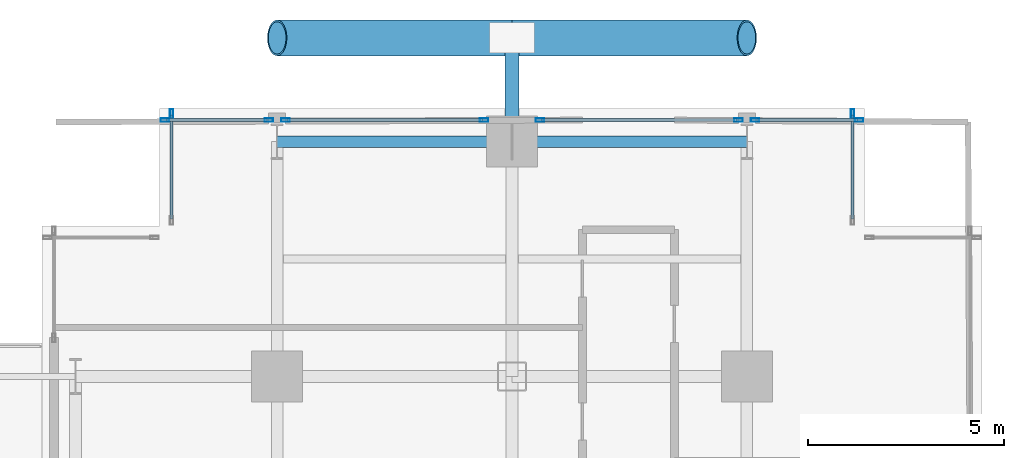
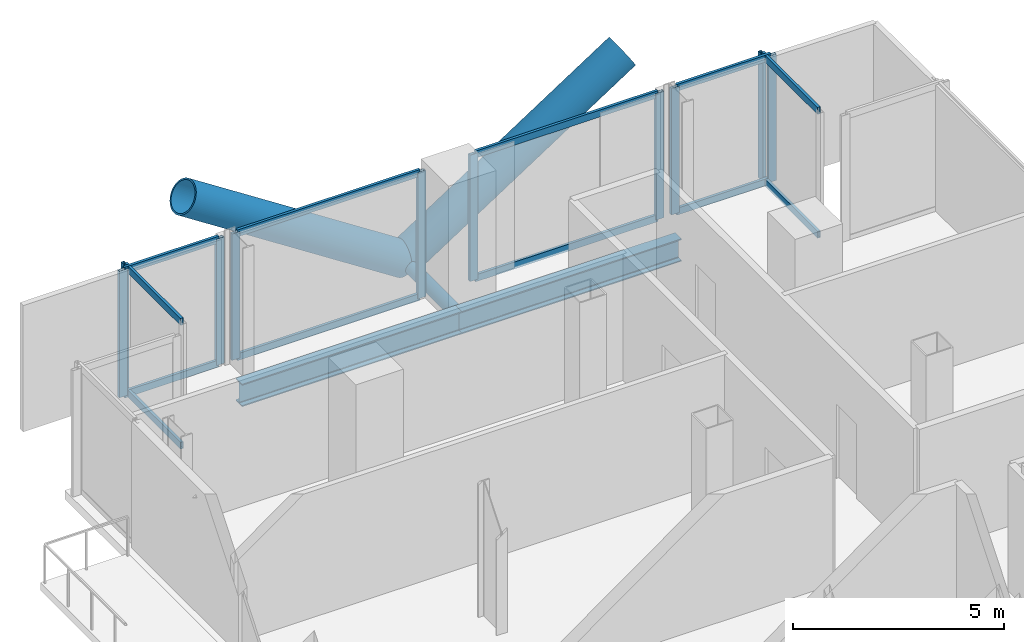
# One storey, part 16 of 27: 25 members, 2 beams, 6 elements without a shape of their own.
"""IFC4 building model written with IfcOpenShell, lengths in metres."""

import ifcopenshell
import ifcopenshell.guid

model = None  # the IFC model being written
_history = None  # IfcOwnerHistory: only IFC2X3 demands one
_inside = {}  # id of a spatial element -> (the spatial element, [elements in it])
_under = {}  # id of a project, library or spatial element -> (it, [spatial elements below it])
_declared = {}  # id of a project -> (the project, [libraries it declares])
_typed = {}  # id of a type object -> (the type object, [elements of that type])
_made_of = {}  # id of a material, layer set ... -> (it, [elements and type objects made of it])


def new_model(schema):
    """Start an empty IFC model of exactly this schema.

    Asked for "IFC4X3", IfcOpenShell would pick the latest addendum, in which some entities
    have other attributes; the version numbers below select the first issue.
    IFC2X3 requires an IfcOwnerHistory on every rooted entity: one is made here for all.
    """
    global model, _history
    if schema == "IFC4X3":
        model = ifcopenshell.file(schema_version=(4, 3, 0, 0))
    else:
        model = ifcopenshell.file(schema=schema)
    _inside.clear()
    _under.clear()
    _declared.clear()
    _typed.clear()
    _made_of.clear()
    _history = None
    if model.schema == "IFC2X3":
        org = make("IfcOrganization", Name="unknown")
        user = make(
            "IfcPersonAndOrganization",
            ThePerson=make("IfcPerson", FamilyName="unknown"),
            TheOrganization=org,
        )
        app = make(
            "IfcApplication",
            ApplicationDeveloper=org,
            Version="unknown",
            ApplicationFullName="unknown",
            ApplicationIdentifier="unknown",
        )
        _history = make(
            "IfcOwnerHistory",
            OwningUser=user,
            OwningApplication=app,
            ChangeAction="ADDED",
            CreationDate=0,
        )
    return model


def make(cls, **values):
    """One entity of the class cls with the attributes given. An attribute that is None is left unset."""
    return model.create_entity(
        cls, **{name: value for name, value in values.items() if value is not None}
    )


def rooted(cls, **values):
    """An entity with a GlobalId (a new one), such as an element, a storey or a relation."""
    return make(cls, GlobalId=ifcopenshell.guid.new(), OwnerHistory=_history, **values)


def si_unit(unit_type, name, prefix=None):
    """IfcSIUnit, for example si_unit("LENGTHUNIT", "METRE", prefix="MILLI")."""
    return make("IfcSIUnit", UnitType=unit_type, Prefix=prefix, Name=name)


def assignment(units):
    """IfcUnitAssignment: the units of a project."""
    return None if units is None else make("IfcUnitAssignment", Units=units)


def point(xyz):
    """IfcCartesianPoint."""
    return None if xyz is None else make("IfcCartesianPoint", Coordinates=xyz)


def direction(xyz):
    """IfcDirection."""
    return None if xyz is None else make("IfcDirection", DirectionRatios=xyz)


def frame(location, z_axis=None, x_axis=None):
    """IfcAxis2Placement3D, a coordinate frame: its origin and axes. An axis left out is left unset."""
    return make(
        "IfcAxis2Placement3D",
        Location=point(location),
        Axis=direction(z_axis),
        RefDirection=direction(x_axis),
    )


def frame_2d(location, x_axis=None):
    """IfcAxis2Placement2D, a coordinate frame in the plane: its origin and x axis."""
    return make(
        "IfcAxis2Placement2D", Location=point(location), RefDirection=direction(x_axis)
    )


def origin():
    """The frame at (0, 0, 0) with its axes left unset."""
    return frame((0.0, 0.0, 0.0))


def origin_2d():
    """The frame at (0, 0) in the plane with its x axis left unset."""
    return frame_2d((0.0, 0.0))


def place(relative_to, where):
    """IfcLocalPlacement: puts the frame where relative to a parent placement (None: the world)."""
    return make(
        "IfcLocalPlacement", PlacementRelTo=relative_to, RelativePlacement=where
    )


def context(
    kind, dimensions, precision=None, world=None, true_north=None, identifier=None
):
    """IfcGeometricRepresentationContext, for example the 3D "Model" context."""
    return make(
        "IfcGeometricRepresentationContext",
        ContextIdentifier=identifier,
        ContextType=kind,
        CoordinateSpaceDimension=dimensions,
        Precision=precision,
        WorldCoordinateSystem=world,
        TrueNorth=true_north,
    )


def subcontext(parent, identifier, kind, view, scale=None):
    """IfcGeometricRepresentationSubContext, for example "Body" below "Model"."""
    return make(
        "IfcGeometricRepresentationSubContext",
        ContextIdentifier=identifier,
        ContextType=kind,
        ParentContext=parent,
        TargetScale=scale,
        TargetView=view,
    )


def project(units=None, contexts=None):
    """IfcProject with its units and contexts."""
    return rooted(
        "IfcProject",
        Name="project",
        RepresentationContexts=contexts,
        UnitsInContext=assignment(units),
    )


def spatial(cls, under=None, at=None, **own):
    """A site, building, storey or space (cls), placed at a placement, below another one or the project."""
    s = rooted(cls, ObjectPlacement=at, **own)
    if under is not None:
        _under.setdefault(under.id(), (under, []))[1].append(s)
    return s


def profile(cls, at=None, kind="AREA", **sizes):
    """A parametric profile (cls). Its sizes go by their IFC names, for example OverallWidth=200.0."""
    return make(cls, ProfileType=kind, Position=at, **sizes)


def hollow_rectangle(**sizes):
    """IfcRectangleHollowProfileDef."""
    return profile("IfcRectangleHollowProfileDef", **sizes)


def hollow_circle(**sizes):
    """IfcCircleHollowProfileDef."""
    return profile("IfcCircleHollowProfileDef", **sizes)


def i_section(**sizes):
    """IfcIShapeProfileDef."""
    return profile("IfcIShapeProfileDef", **sizes)


def extrude(swept, where, along, depth):
    """IfcExtrudedAreaSolid: the profile swept, set in the frame where, extruded along a direction by depth."""
    return make(
        "IfcExtrudedAreaSolid",
        SweptArea=swept,
        Position=where,
        ExtrudedDirection=direction(along),
        Depth=depth,
    )


def shape(context_of_items, identifier, shape_type, items):
    """IfcShapeRepresentation: the items that make up one representation, for example the "Body"."""
    return make(
        "IfcShapeRepresentation",
        ContextOfItems=context_of_items,
        RepresentationIdentifier=identifier,
        RepresentationType=shape_type,
        Items=items,
    )


def material(Name=None, Category=None):
    """IfcMaterial."""
    return make("IfcMaterial", Name=Name, Category=Category)


def layer(
    of_material, thickness, ventilated=None, Name=None, Category=None, Priority=None
):
    """IfcMaterialLayer: one layer of a wall or slab, of a material (None: an air gap)."""
    return make(
        "IfcMaterialLayer",
        Material=of_material,
        LayerThickness=thickness,
        IsVentilated=ventilated,
        Name=Name,
        Category=Category,
        Priority=Priority,
    )


def layer_set(layers, Name=None):
    """IfcMaterialLayerSet."""
    return make("IfcMaterialLayerSet", MaterialLayers=layers, LayerSetName=Name)


def material_profile(
    of_material, cross_section, Name=None, Category=None, Priority=None
):
    """IfcMaterialProfile: a cross section and its material."""
    return make(
        "IfcMaterialProfile",
        Name=Name,
        Material=of_material,
        Profile=cross_section,
        Priority=Priority,
        Category=Category,
    )


def profile_set(profiles, Name=None, composite=None):
    """IfcMaterialProfileSet."""
    return make(
        "IfcMaterialProfileSet",
        Name=Name,
        MaterialProfiles=profiles,
        CompositeProfile=composite,
    )


def made_of(thing, what):
    """Note that an element or type object is made of a material, layer set ...; save() writes the relation."""
    if what is not None:
        _made_of.setdefault(what.id(), (what, []))[1].append(thing)
    return thing


def type_object(cls, material=None, **own):
    """A type object (cls), such as IfcWallType, which elements share."""
    return made_of(rooted(cls, **own), material)


def element(
    cls,
    number,
    at=None,
    inside=None,
    cuts=None,
    type_object=None,
    material=None,
    context=None,
    identifier="Body",
    shape_type=None,
    held_by="IfcProductDefinitionShape",
    body=None,
    shapes=None,
    **own,
):
    """One element of the class cls, such as IfcWall. Its Tag is "e" and its number.

    at: its placement. inside: the storey or other place that contains it. cuts: it is an
    opening in that element (IfcRelVoidsElement). A single representation is given by context,
    identifier, shape_type and body (its items); several are given by shapes. held_by: the class
    of the entity that holds the representations. save() writes the other relations.
    """
    e = rooted(cls, Tag="e%d" % number, ObjectPlacement=at, **own)
    if body is not None:
        shapes = [shape(context, identifier, shape_type, body)]
    if shapes is not None:
        e.Representation = make(held_by, Representations=shapes)
    if inside is not None:
        _inside.setdefault(inside.id(), (inside, []))[1].append(e)
    if cuts is not None:
        rooted(
            "IfcRelVoidsElement", RelatingBuildingElement=cuts, RelatedOpeningElement=e
        )
    if type_object is not None:
        _typed.setdefault(type_object.id(), (type_object, []))[1].append(e)
    return made_of(e, material)


def aggregate(whole, parts):
    """IfcRelAggregates: a whole, such as a stair, and the parts it consists of."""
    return rooted("IfcRelAggregates", RelatingObject=whole, RelatedObjects=parts)


def save(model, path):
    """Write the relations noted so far, then the file.

    IfcRelAggregates (storeys below a building ...), IfcRelContainedInSpatialStructure (elements
    in a storey), IfcRelDefinesByType, IfcRelAssociatesMaterial and IfcRelDeclares: one each for
    every whole, place, type object, material and project.
    """
    for whole, parts in _under.values():
        aggregate(whole, parts)
    for where, things in _inside.values():
        rooted(
            "IfcRelContainedInSpatialStructure",
            RelatedElements=things,
            RelatingStructure=where,
        )
    for kind, things in _typed.values():
        rooted("IfcRelDefinesByType", RelatedObjects=things, RelatingType=kind)
    for what, things in _made_of.values():
        rooted("IfcRelAssociatesMaterial", RelatedObjects=things, RelatingMaterial=what)
    for by, libraries in _declared.values():
        rooted("IfcRelDeclares", RelatingContext=by, RelatedDefinitions=libraries)
    model.write(path)


model = new_model("IFC4")

# Units and contexts
model_context = context("Model", 3, precision=1e-05, world=origin(), true_north=direction((0.0, 1.0)))
body_context = subcontext(model_context, "Body", "Model", "MODEL_VIEW")
ifc_project = project(units=[si_unit("LENGTHUNIT", "METRE"), si_unit("AREAUNIT", "SQUARE_METRE"), si_unit("VOLUMEUNIT", "CUBIC_METRE"), si_unit("PLANEANGLEUNIT", "RADIAN"), si_unit("MASSUNIT", "GRAM", prefix="KILO"), si_unit("THERMODYNAMICTEMPERATUREUNIT", "KELVIN"), si_unit("POWERUNIT", "WATT")], contexts=[model_context])

# Site, building, storey
site_placement = place(None, origin())
site = spatial("IfcSite", under=ifc_project, at=site_placement, CompositionType="ELEMENT")
building_placement = place(site_placement, origin())
building = spatial("IfcBuilding", under=site, at=building_placement, Name="Svarakhadi Broadcast Tower", CompositionType="ELEMENT")
storey_placement = place(building_placement, frame((0.0, 0.0, 59.699951171875)))
storey = spatial("IfcBuildingStorey", under=building, at=storey_placement, Name="L13", CompositionType="ELEMENT", Elevation=59.699951171875)

# Curtain wall, member
ifc_material_1 = material(Name="Anodised Bronze Aluminium AA 6063-T6", Category="aluminium")
ifc_layer = layer(ifc_material_1, 0.219970703125)
ifc_layer_set = layer_set([ifc_layer], Name="Anodised Bronze Aluminium AA 6063-T6")
curtain_wall_type = type_object("IfcCurtainWallType", Name="CW_Sys_02", PredefinedType="NOTDEFINED", material=ifc_layer_set)
curtain_wall_1_placement = place(storey_placement, origin())
curtain_wall_1 = element("IfcCurtainWall", 1, at=curtain_wall_1_placement, inside=storey, type_object=curtain_wall_type, Name="L13 Unitised Facade Curtain Wall 05", PredefinedType="NOTDEFINED")
ifc_material_profile_1 = material_profile(ifc_material_1, hollow_rectangle(XDim=0.0849609375, YDim=0.219970703125, WallThickness=0.006103515625, at=origin_2d()), Name="ALU MULLION 220x85x6")
ifc_profile_set_1 = profile_set([ifc_material_profile_1], Name="Anodised Bronze Aluminium AA 6063-T6")
member_type_1 = type_object("IfcMemberType", Name="CW_Sys_02_Mul", PredefinedType="MULLION", material=ifc_profile_set_1)
member_1_placement = place(storey_placement, frame((3.300048828125, 47.867431640625, 0.0), z_axis=(0.0, 0.0, 1.0), x_axis=(-1.0, 0.0, 0.0)))
member_1 = element("IfcMember", 2, at=member_1_placement, type_object=member_type_1, Name="CW-02 mullion 2", PredefinedType="MULLION", context=body_context, shape_type="SweptSolid", body=[
    extrude(hollow_rectangle(XDim=0.0849609375, YDim=0.219970703125, WallThickness=0.006103515625, at=origin_2d()), origin(), (0.0, 0.0, 1.0), 3.650146484375),
])

# Curtain wall, members
curtain_wall_2_placement = place(storey_placement, origin())
curtain_wall_2 = element("IfcCurtainWall", 3, at=curtain_wall_2_placement, inside=storey, type_object=curtain_wall_type, Name="L13 Unitised Facade Curtain Wall 06 Bay 1", PredefinedType="NOTDEFINED")
member_2_placement = place(storey_placement, frame((3.132568359375, 47.699951171875, 0.0), z_axis=(0.0, 0.0, 1.0), x_axis=(0.0, 1.0, 0.0)))
member_2 = element("IfcMember", 4, at=member_2_placement, type_object=member_type_1, Name="CW-02 mullion 1", PredefinedType="MULLION", context=body_context, shape_type="SweptSolid", body=[
    extrude(hollow_rectangle(XDim=0.0849609375, YDim=0.219970703125, WallThickness=0.006103515625, at=origin_2d()), origin(), (0.0, 0.0, 1.0), 3.650146484375),
])
member_3_placement = place(storey_placement, frame((5.78759765625, 47.699951171875, 0.0), z_axis=(0.0, 0.0, 1.0), x_axis=(0.0, 1.0, 0.0)))
member_3 = element("IfcMember", 5, at=member_3_placement, type_object=member_type_1, Name="CW-02 mullion 2", PredefinedType="MULLION", context=body_context, shape_type="SweptSolid", body=[
    extrude(hollow_rectangle(XDim=0.0849609375, YDim=0.219970703125, WallThickness=0.006103515625, at=origin_2d()), origin(), (0.0, 0.0, 1.0), 3.650146484375),
])

curtain_wall_3_placement = place(storey_placement, origin())
curtain_wall_3 = element("IfcCurtainWall", 6, at=curtain_wall_3_placement, inside=storey, type_object=curtain_wall_type, Name="L13 Unitised Facade Curtain Wall 06 Bay 2", PredefinedType="NOTDEFINED")
member_4_placement = place(storey_placement, frame((6.21240234375, 47.699951171875, 0.0), z_axis=(0.0, 0.0, 1.0), x_axis=(0.0, 1.0, 0.0)))
member_4 = element("IfcMember", 7, at=member_4_placement, type_object=member_type_1, Name="CW-02 mullion 1", PredefinedType="MULLION", context=body_context, shape_type="SweptSolid", body=[
    extrude(hollow_rectangle(XDim=0.0849609375, YDim=0.219970703125, WallThickness=0.006103515625, at=origin_2d()), origin(), (0.0, 0.0, 1.0), 3.650146484375),
])
member_5_placement = place(storey_placement, frame((11.28759765625, 47.699951171875, 0.0), z_axis=(0.0, 0.0, 1.0), x_axis=(0.0, 1.0, 0.0)))
member_5 = element("IfcMember", 8, at=member_5_placement, type_object=member_type_1, Name="CW-02 mullion 2", PredefinedType="MULLION", context=body_context, shape_type="SweptSolid", body=[
    extrude(hollow_rectangle(XDim=0.0849609375, YDim=0.219970703125, WallThickness=0.006103515625, at=origin_2d()), origin(), (0.0, 0.0, 1.0), 3.650146484375),
])

curtain_wall_4_placement = place(storey_placement, origin())
curtain_wall_4 = element("IfcCurtainWall", 9, at=curtain_wall_4_placement, inside=storey, type_object=curtain_wall_type, Name="L13 Unitised Facade Curtain Wall 06 Bay 3", PredefinedType="NOTDEFINED")
member_6_placement = place(storey_placement, frame((12.71240234375, 47.699951171875, 0.0), z_axis=(0.0, 0.0, 1.0), x_axis=(0.0, 1.0, 0.0)))
member_6 = element("IfcMember", 10, at=member_6_placement, type_object=member_type_1, Name="CW-02 mullion 1", PredefinedType="MULLION", context=body_context, shape_type="SweptSolid", body=[
    extrude(hollow_rectangle(XDim=0.0849609375, YDim=0.219970703125, WallThickness=0.006103515625, at=origin_2d()), origin(), (0.0, 0.0, 1.0), 3.650146484375),
])
member_7_placement = place(storey_placement, frame((17.78759765625, 47.699951171875, 0.0), z_axis=(0.0, 0.0, 1.0), x_axis=(0.0, 1.0, 0.0)))
member_7 = element("IfcMember", 11, at=member_7_placement, type_object=member_type_1, Name="CW-02 mullion 2", PredefinedType="MULLION", context=body_context, shape_type="SweptSolid", body=[
    extrude(hollow_rectangle(XDim=0.0849609375, YDim=0.219970703125, WallThickness=0.006103515625, at=origin_2d()), origin(), (0.0, 0.0, 1.0), 3.650146484375),
])

curtain_wall_5_placement = place(storey_placement, origin())
curtain_wall_5 = element("IfcCurtainWall", 12, at=curtain_wall_5_placement, inside=storey, type_object=curtain_wall_type, Name="L13 Unitised Facade Curtain Wall 06 Bay 4", PredefinedType="NOTDEFINED")
member_8_placement = place(storey_placement, frame((18.21240234375, 47.699951171875, 0.0), z_axis=(0.0, 0.0, 1.0), x_axis=(0.0, 1.0, 0.0)))
member_8 = element("IfcMember", 13, at=member_8_placement, type_object=member_type_1, Name="CW-02 mullion 1", PredefinedType="MULLION", context=body_context, shape_type="SweptSolid", body=[
    extrude(hollow_rectangle(XDim=0.0849609375, YDim=0.219970703125, WallThickness=0.006103515625, at=origin_2d()), origin(), (0.0, 0.0, 1.0), 3.650146484375),
])
member_9_placement = place(storey_placement, frame((20.867431640625, 47.699951171875, 0.0), z_axis=(0.0, 0.0, 1.0), x_axis=(0.0, 1.0, 0.0)))
member_9 = element("IfcMember", 14, at=member_9_placement, type_object=member_type_1, Name="CW-02 mullion 2", PredefinedType="MULLION", context=body_context, shape_type="SweptSolid", body=[
    extrude(hollow_rectangle(XDim=0.0849609375, YDim=0.219970703125, WallThickness=0.006103515625, at=origin_2d()), origin(), (0.0, 0.0, 1.0), 3.650146484375),
])

# Curtain wall, member
curtain_wall_6_placement = place(storey_placement, origin())
curtain_wall_6 = element("IfcCurtainWall", 15, at=curtain_wall_6_placement, inside=storey, type_object=curtain_wall_type, Name="L13 Unitised Facade Curtain Wall 07", PredefinedType="NOTDEFINED")
member_10_placement = place(storey_placement, frame((20.699951171875, 47.867431640625, 0.0), z_axis=(0.0, 0.0, 1.0), x_axis=(1.0, 0.0, 0.0)))
member_10 = element("IfcMember", 16, at=member_10_placement, type_object=member_type_1, Name="CW-02 mullion 1", PredefinedType="MULLION", context=body_context, shape_type="SweptSolid", body=[
    extrude(hollow_rectangle(XDim=0.0849609375, YDim=0.219970703125, WallThickness=0.006103515625, at=origin_2d()), origin(), (0.0, 0.0, 1.0), 3.650146484375),
])

# Member
ifc_material_profile_2 = material_profile(ifc_material_1, hollow_rectangle(XDim=0.074951171875, YDim=0.199951171875, WallThickness=0.0048828125, at=origin_2d()), Name="ALU TRANSOM 200x75x5")
ifc_profile_set_2 = profile_set([ifc_material_profile_2], Name="Anodised Bronze Aluminium AA 6063-T6")
member_type_2 = type_object("IfcMemberType", Name="CW_Sys_02_Trn", PredefinedType="USERDEFINED", material=ifc_profile_set_2)
member_11_placement = place(storey_placement, frame((3.300048828125, 45.175048828125, 0.03759765625), z_axis=(0.0, 1.0, 0.0), x_axis=(-1.0, 0.0, 0.0)))
member_11 = element("IfcMember", 17, at=member_11_placement, type_object=member_type_2, Name="CW-02 transom 1.1", ObjectType="TRANSOM", PredefinedType="USERDEFINED", context=body_context, shape_type="SweptSolid", body=[
    extrude(hollow_rectangle(XDim=0.074951171875, YDim=0.199951171875, WallThickness=0.0048828125, at=origin_2d()), origin(), (0.0, 0.0, 1.0), 2.64990234375),
])

member_12_placement = place(storey_placement, frame((3.300048828125, 45.175048828125, 3.612548828125), z_axis=(0.0, 1.0, 0.0), x_axis=(-1.0, 0.0, 0.0)))
member_12 = element("IfcMember", 18, at=member_12_placement, type_object=member_type_2, Name="CW-02 transom 1.2", ObjectType="TRANSOM", PredefinedType="USERDEFINED", context=body_context, shape_type="SweptSolid", body=[
    extrude(hollow_rectangle(XDim=0.074951171875, YDim=0.199951171875, WallThickness=0.0048828125, at=origin_2d()), origin(), (0.0, 0.0, 1.0), 2.64990234375),
])

aggregate(curtain_wall_1, [member_1, member_11, member_12])

member_13_placement = place(storey_placement, frame((3.175048828125, 47.699951171875, 0.03759765625), z_axis=(1.0, 0.0, 0.0), x_axis=(0.0, 1.0, 0.0)))
member_13 = element("IfcMember", 19, at=member_13_placement, type_object=member_type_2, Name="CW-02 transom 1.1", ObjectType="TRANSOM", PredefinedType="USERDEFINED", context=body_context, shape_type="SweptSolid", body=[
    extrude(hollow_rectangle(XDim=0.074951171875, YDim=0.199951171875, WallThickness=0.0048828125, at=origin_2d()), origin(), (0.0, 0.0, 1.0), 2.570068359375),
])

member_14_placement = place(storey_placement, frame((3.175048828125, 47.699951171875, 3.612548828125), z_axis=(1.0, 0.0, 0.0), x_axis=(0.0, 1.0, 0.0)))
member_14 = element("IfcMember", 20, at=member_14_placement, type_object=member_type_2, Name="CW-02 transom 1.2", ObjectType="TRANSOM", PredefinedType="USERDEFINED", context=body_context, shape_type="SweptSolid", body=[
    extrude(hollow_rectangle(XDim=0.074951171875, YDim=0.199951171875, WallThickness=0.0048828125, at=origin_2d()), origin(), (0.0, 0.0, 1.0), 2.570068359375),
])

aggregate(curtain_wall_2, [member_2, member_3, member_13, member_14])

member_15_placement = place(storey_placement, frame((6.2548828125, 47.699951171875, 0.03759765625), z_axis=(1.0, 0.0, 0.0), x_axis=(0.0, 1.0, 0.0)))
member_15 = element("IfcMember", 21, at=member_15_placement, type_object=member_type_2, Name="CW-02 transom 1.1", ObjectType="TRANSOM", PredefinedType="USERDEFINED", context=body_context, shape_type="SweptSolid", body=[
    extrude(hollow_rectangle(XDim=0.074951171875, YDim=0.199951171875, WallThickness=0.0048828125, at=origin_2d()), origin(), (0.0, 0.0, 1.0), 4.990234375),
])

member_16_placement = place(storey_placement, frame((6.2548828125, 47.699951171875, 3.612548828125), z_axis=(1.0, 0.0, 0.0), x_axis=(0.0, 1.0, 0.0)))
member_16 = element("IfcMember", 22, at=member_16_placement, type_object=member_type_2, Name="CW-02 transom 1.2", ObjectType="TRANSOM", PredefinedType="USERDEFINED", context=body_context, shape_type="SweptSolid", body=[
    extrude(hollow_rectangle(XDim=0.074951171875, YDim=0.199951171875, WallThickness=0.0048828125, at=origin_2d()), origin(), (0.0, 0.0, 1.0), 4.990234375),
])

aggregate(curtain_wall_3, [member_4, member_5, member_15, member_16])

member_17_placement = place(storey_placement, frame((12.7548828125, 47.699951171875, 0.03759765625), z_axis=(1.0, 0.0, 0.0), x_axis=(0.0, 1.0, 0.0)))
member_17 = element("IfcMember", 23, at=member_17_placement, type_object=member_type_2, Name="CW-02 transom 1.1", ObjectType="TRANSOM", PredefinedType="USERDEFINED", context=body_context, shape_type="SweptSolid", body=[
    extrude(hollow_rectangle(XDim=0.074951171875, YDim=0.199951171875, WallThickness=0.0048828125, at=origin_2d()), origin(), (0.0, 0.0, 1.0), 4.990234375),
])

member_18_placement = place(storey_placement, frame((12.7548828125, 47.699951171875, 3.612548828125), z_axis=(1.0, 0.0, 0.0), x_axis=(0.0, 1.0, 0.0)))
member_18 = element("IfcMember", 24, at=member_18_placement, type_object=member_type_2, Name="CW-02 transom 1.2", ObjectType="TRANSOM", PredefinedType="USERDEFINED", context=body_context, shape_type="SweptSolid", body=[
    extrude(hollow_rectangle(XDim=0.074951171875, YDim=0.199951171875, WallThickness=0.0048828125, at=origin_2d()), origin(), (0.0, 0.0, 1.0), 4.990234375),
])

aggregate(curtain_wall_4, [member_6, member_7, member_17, member_18])

member_19_placement = place(storey_placement, frame((18.2548828125, 47.699951171875, 0.03759765625), z_axis=(1.0, 0.0, 0.0), x_axis=(0.0, 1.0, 0.0)))
member_19 = element("IfcMember", 25, at=member_19_placement, type_object=member_type_2, Name="CW-02 transom 1.1", ObjectType="TRANSOM", PredefinedType="USERDEFINED", context=body_context, shape_type="SweptSolid", body=[
    extrude(hollow_rectangle(XDim=0.074951171875, YDim=0.199951171875, WallThickness=0.0048828125, at=origin_2d()), origin(), (0.0, 0.0, 1.0), 2.570068359375),
])

member_20_placement = place(storey_placement, frame((18.2548828125, 47.699951171875, 3.612548828125), z_axis=(1.0, 0.0, 0.0), x_axis=(0.0, 1.0, 0.0)))
member_20 = element("IfcMember", 26, at=member_20_placement, type_object=member_type_2, Name="CW-02 transom 1.2", ObjectType="TRANSOM", PredefinedType="USERDEFINED", context=body_context, shape_type="SweptSolid", body=[
    extrude(hollow_rectangle(XDim=0.074951171875, YDim=0.199951171875, WallThickness=0.0048828125, at=origin_2d()), origin(), (0.0, 0.0, 1.0), 2.570068359375),
])

aggregate(curtain_wall_5, [member_8, member_9, member_19, member_20])

member_21_placement = place(storey_placement, frame((20.699951171875, 47.824951171875, 0.03759765625), z_axis=(0.0, -1.0, 0.0), x_axis=(1.0, 0.0, 0.0)))
member_21 = element("IfcMember", 27, at=member_21_placement, type_object=member_type_2, Name="CW-02 transom 1.1", ObjectType="TRANSOM", PredefinedType="USERDEFINED", context=body_context, shape_type="SweptSolid", body=[
    extrude(hollow_rectangle(XDim=0.074951171875, YDim=0.199951171875, WallThickness=0.0048828125, at=origin_2d()), origin(), (0.0, 0.0, 1.0), 2.64990234375),
])

member_22_placement = place(storey_placement, frame((20.699951171875, 47.824951171875, 3.612548828125), z_axis=(0.0, -1.0, 0.0), x_axis=(1.0, 0.0, 0.0)))
member_22 = element("IfcMember", 28, at=member_22_placement, type_object=member_type_2, Name="CW-02 transom 1.2", ObjectType="TRANSOM", PredefinedType="USERDEFINED", context=body_context, shape_type="SweptSolid", body=[
    extrude(hollow_rectangle(XDim=0.074951171875, YDim=0.199951171875, WallThickness=0.0048828125, at=origin_2d()), origin(), (0.0, 0.0, 1.0), 2.64990234375),
])

aggregate(curtain_wall_6, [member_10, member_21, member_22])

# Members
ifc_material_2 = material(Name="Steel S460ML (IS 2062 E450BR)", Category="steel")
ifc_material_profile_3 = material_profile(ifc_material_2, hollow_circle(Radius=0.45703125, WallThickness=0.044921875, at=origin_2d()), Name="CHS 914x45")
ifc_profile_set_3 = profile_set([ifc_material_profile_3], Name="Steel S460ML (IS 2062 E450BR)")
member_type_3 = type_object("IfcMemberType", Name="Exo_Brace_CHS914", PredefinedType="BRACE", material=ifc_profile_set_3)
for number, where, z_axis, x_axis, name in (
    (29, (12.0, 49.800048828125, -0.427734375), (-0.838449851971, 0.0, 0.544978757136), (0.0, -1.0, 0.0), "L13 Exposed Bronze Exoskeleton Diagonal N12"),
    (30, (12.0, 49.800048828125, -0.427734375), (0.838449851971, 0.0, 0.544978757136), (0.0, 1.0, 0.0), "L13 Exposed Bronze Exoskeleton Diagonal N13"),
):
    element("IfcMember", number, at=place(storey_placement, frame(where, z_axis=z_axis, x_axis=x_axis)), inside=storey, type_object=member_type_3, Name=name, PredefinedType="BRACE", context=body_context, shape_type="SweptSolid", body=[
        extrude(hollow_circle(Radius=0.45703125, WallThickness=0.044921875, at=origin_2d()), origin(), (0.0, 0.0, 1.0), 7.156005859375),
    ])
ifc_material_profile_4 = material_profile(ifc_material_2, hollow_circle(Radius=0.177734375, WallThickness=0.02001953125, at=origin_2d()), Name="CHS 355.6x20")
ifc_profile_set_4 = profile_set([ifc_material_profile_4], Name="Steel S460ML (IS 2062 E450BR)")
member_type_4 = type_object("IfcMemberType", Name="Exo_Radial_Strut_Z1", PredefinedType="STRUT", material=ifc_profile_set_4)
member_23_placement = place(storey_placement, frame((12.0, 49.800048828125, -0.427734375), z_axis=(0.0, -1.0, 0.0), x_axis=(1.0, 0.0, 0.0)))
element("IfcMember", 31, at=member_23_placement, inside=storey, type_object=member_type_4, Name="L13 Exoskeleton Radial Tie Strut N07", PredefinedType="STRUT", context=body_context, shape_type="SweptSolid", body=[
    extrude(hollow_circle(Radius=0.177734375, WallThickness=0.02001953125, at=origin_2d()), origin(), (0.0, 0.0, 1.0), 2.650146484375),
])

# Beams
ifc_material_3 = material(Name="Steel S355J2 (IS 2062 E350C)", Category="steel")
ifc_material_profile_5 = material_profile(ifc_material_3, i_section(OverallWidth=0.300048828125, OverallDepth=0.64990234375, WebThickness=0.01611328125, FlangeThickness=0.031005859375, FilletRadius=0.027099609375, at=origin_2d()), Name="WPB 650x300x225")
ifc_profile_set_5 = profile_set([ifc_material_profile_5], Name="Steel S355J2 (IS 2062 E350C)")
beam_type = type_object("IfcBeamType", Name="Girder_WPB650", PredefinedType="USERDEFINED", material=ifc_profile_set_5)
for number, where, z_axis, x_axis, name in (
    (32, (6.0, 47.14990234375, -0.574951171875), (1.0, 0.0, 0.0), (0.0, 1.0, 0.0), "L13 Primary E-W Girder G043"),
    (33, (12.0, 47.14990234375, -0.574951171875), (1.0, 0.0, 0.0), (0.0, 1.0, 0.0), "L13 Primary E-W Girder G044"),
):
    element("IfcBeam", number, at=place(storey_placement, frame(where, z_axis=z_axis, x_axis=x_axis)), inside=storey, type_object=beam_type, Name=name, ObjectType="GIRDER", PredefinedType="USERDEFINED", context=body_context, shape_type="SweptSolid", body=[
        extrude(i_section(OverallWidth=0.300048828125, OverallDepth=0.64990234375, WebThickness=0.01611328125, FlangeThickness=0.031005859375, FilletRadius=0.027099609375, at=origin_2d()), origin(), (0.0, 0.0, 1.0), 6.0),
    ])

save(model, "model.ifc")
